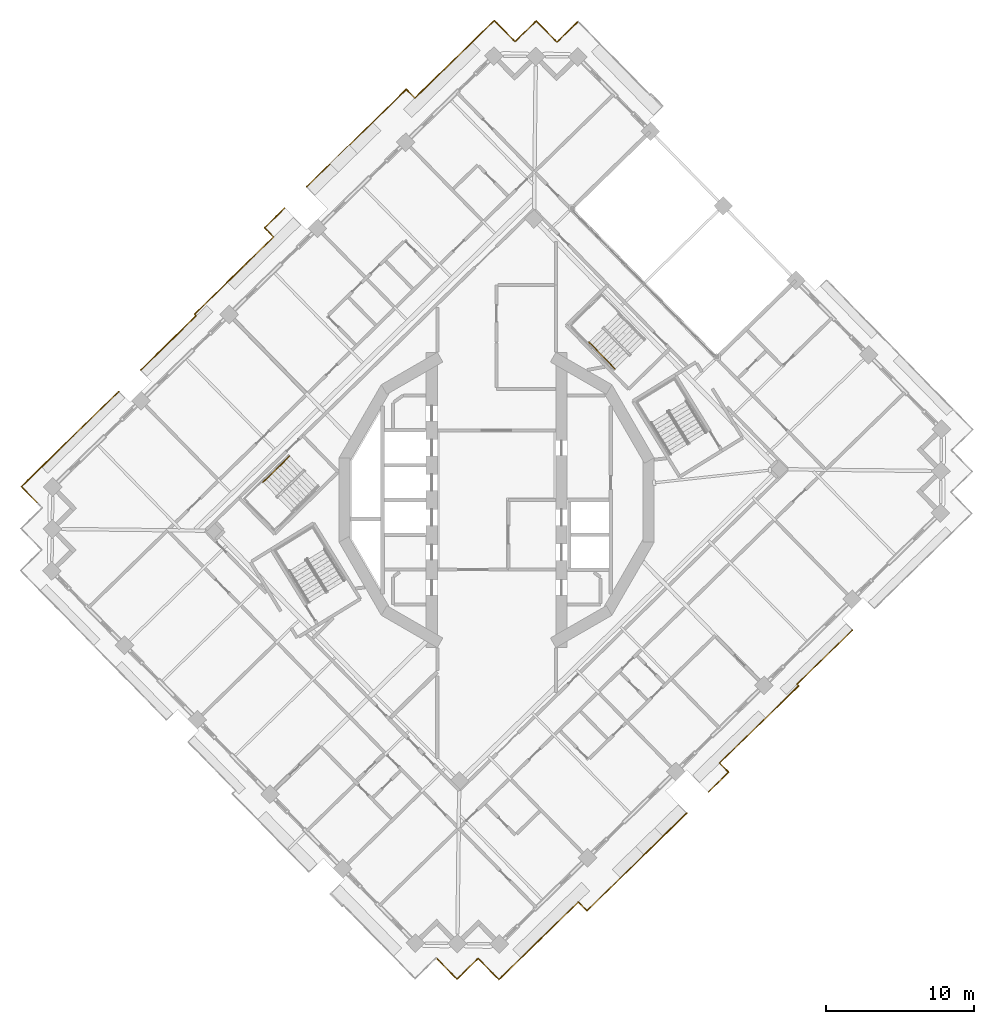
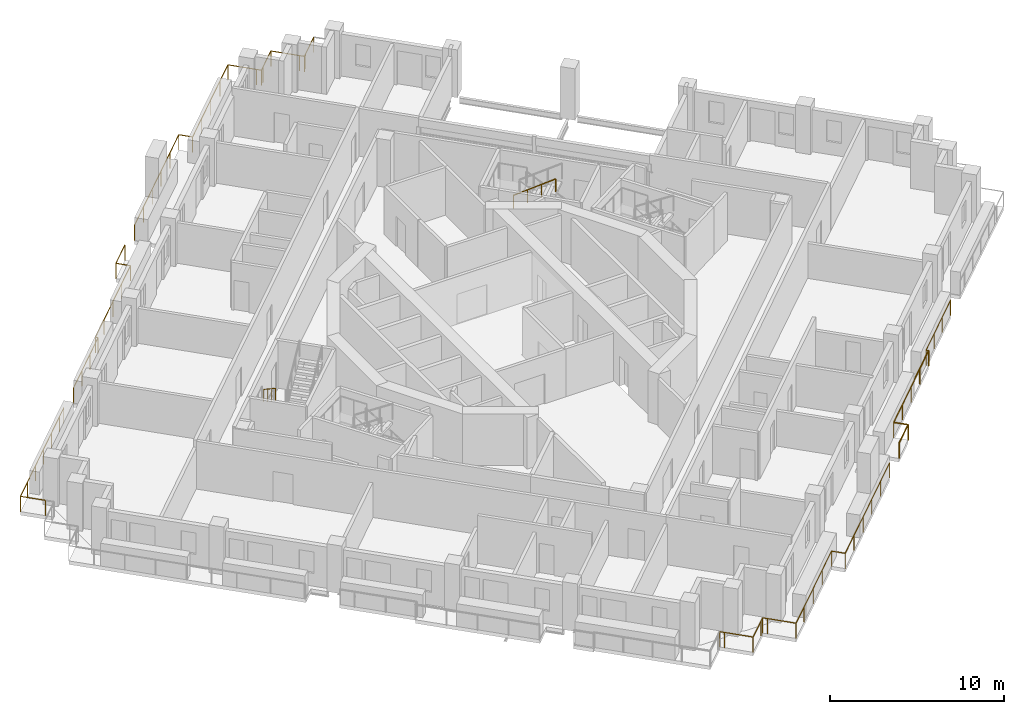
# One storey, part 17 of 20: 8 railings.
"""IFC4 building model written with IfcOpenShell, lengths in metres."""

from ifc_helpers import new_model, si_unit, direction, frame, origin, origin_2d, place, context, subcontext, project, spatial, circle, extrude, material, type_object, element, save


model = new_model("IFC4")

# Units and contexts
model_context = context("Model", 3, precision=1e-05, world=origin(), true_north=direction((0.0, 1.0)))
body_context = subcontext(model_context, "Body", "Model", "MODEL_VIEW")
ifc_project = project(units=[si_unit("LENGTHUNIT", "METRE"), si_unit("AREAUNIT", "SQUARE_METRE"), si_unit("VOLUMEUNIT", "CUBIC_METRE"), si_unit("PLANEANGLEUNIT", "RADIAN"), si_unit("MASSUNIT", "GRAM", prefix="KILO")], contexts=[model_context])

# Site, building, storey
site_placement = place(None, origin())
site = spatial("IfcSite", under=ifc_project, at=site_placement, CompositionType="ELEMENT")
building_placement = place(site_placement, origin())
building = spatial("IfcBuilding", under=site, at=building_placement, Name="Cantera Rosa Tower", CompositionType="ELEMENT")
storey_placement = place(building_placement, frame((0.0, 0.0, 209.0)))
storey = spatial("IfcBuildingStorey", under=building, at=storey_placement, Name="L44", CompositionType="ELEMENT", Elevation=209.0)

# Railings
ifc_material_1 = material(Name="Stainless steel and laminated glass", Category="steel")
railing_type_1 = type_object("IfcRailingType", Name="GUARD 1100", PredefinedType="BALUSTRADE", material=ifc_material_1)
railing_1_placement = place(storey_placement, frame((-31.0107421875, -0.16943359375, 0.0)))
element("IfcRailing", 1, at=railing_1_placement, inside=storey, type_object=railing_type_1, Name="GUARD L44-3", PredefinedType="BALUSTRADE", context=body_context, shape_type="SweptSolid", body=[
    extrude(circle(Radius=0.030029296875, at=origin_2d()), frame((0.0, 0.0, 1.070068359375), z_axis=(-0.698838323933, 0.71527966349, 0.0), x_axis=(-0.71527966349, -0.698838323933, 0.0)), (0.0, 0.0, 1.0), 1.499755859375),
    extrude(circle(Radius=0.030029296875, at=origin_2d()), frame((-1.048095703125, 1.07275390625, 1.070068359375), z_axis=(0.71519829713, 0.698921594874, 0.0), x_axis=(-0.698921594874, 0.71519829713, 0.0)), (0.0, 0.0, 1.0), 1.5),
    extrude(circle(Radius=0.030029296875, at=origin_2d()), frame((0.024658203125, 2.12109375, 1.070068359375), z_axis=(0.715292116391, 0.698825577829, 0.0), x_axis=(-0.698825577829, 0.715292116391, 0.0)), (0.0, 0.0, 1.0), 6.820068359375),
    extrude(circle(Radius=0.030029296875, at=origin_2d()), frame((4.903076171875, 6.88720703125, 1.070068359375), z_axis=(0.715337030636, 0.698779602308, 0.0), x_axis=(-0.698779602308, 0.715337030636, 0.0)), (0.0, 0.0, 1.0), 0.869873046875),
    extrude(circle(Radius=0.02490234375, at=origin_2d()), origin(), (0.0, 0.0, 1.0), 1.0400390625),
    extrude(circle(Radius=0.02490234375, at=origin_2d()), frame((-1.048095703125, 1.07275390625, 0.0)), (0.0, 0.0, 1.0), 1.0400390625),
    extrude(circle(Radius=0.02490234375, at=origin_2d()), frame((0.024658203125, 2.12109375, 0.0)), (0.0, 0.0, 1.0), 1.0400390625),
    extrude(circle(Radius=0.02490234375, at=origin_2d()), frame((1.244140625, 3.3125, 0.0)), (0.0, 0.0, 1.0), 1.0400390625),
    extrude(circle(Radius=0.02490234375, at=origin_2d()), frame((2.4638671875, 4.504150390625, 0.0)), (0.0, 0.0, 1.0), 1.0400390625),
    extrude(circle(Radius=0.02490234375, at=origin_2d()), frame((3.68359375, 5.69580078125, 0.0)), (0.0, 0.0, 1.0), 1.0400390625),
    extrude(circle(Radius=0.02490234375, at=origin_2d()), frame((4.903076171875, 6.88720703125, 0.0)), (0.0, 0.0, 1.0), 1.0400390625),
    extrude(circle(Radius=0.02490234375, at=origin_2d()), frame((5.525390625, 7.4951171875, 0.0)), (0.0, 0.0, 1.0), 1.0400390625),
])
railing_2_placement = place(storey_placement, frame((-24.011962890625, 8.765380859375, 0.0)))
element("IfcRailing", 2, at=railing_2_placement, inside=storey, type_object=railing_type_1, Name="GUARD L44-5", PredefinedType="BALUSTRADE", context=body_context, shape_type="SweptSolid", body=[
    extrude(circle(Radius=0.030029296875, at=origin_2d()), frame((0.0, 0.0, 1.070068359375), z_axis=(0.715781948377, 0.698323852075, 0.0), x_axis=(-0.698323852075, 0.715781948377, 0.0)), (0.0, 0.0, 1.0), 0.06982421875),
    extrude(circle(Radius=0.030029296875, at=origin_2d()), frame((0.050048828125, 0.048828125, 1.070068359375), z_axis=(0.715286575761, 0.69883124897, 0.0), x_axis=(-0.69883124897, 0.715286575761, 0.0)), (0.0, 0.0, 1.0), 5.1630859375),
    extrude(circle(Radius=0.030029296875, at=origin_2d()), frame((3.7431640625, 3.656982421875, 1.070068359375), z_axis=(-0.699276854888, 0.714850949652, 0.0), x_axis=(-0.714850949652, -0.699276854888, 0.0)), (0.0, 0.0, 1.0), 0.15673828125),
    extrude(circle(Radius=0.030029296875, at=origin_2d()), frame((3.633544921875, 3.76904296875, 1.070068359375), z_axis=(0.715281728135, 0.698836210707, 0.0), x_axis=(-0.698836210707, 0.715281728135, 0.0)), (0.0, 0.0, 1.0), 7.452392578125),
    extrude(circle(Radius=0.030029296875, at=origin_2d()), frame((8.964111328125, 8.97705078125, 1.070068359375), z_axis=(-0.698756270008, 0.715359822135, 0.0), x_axis=(-0.715359822135, -0.698756270008, 0.0)), (0.0, 0.0, 1.0), 0.867431640625),
    extrude(circle(Radius=0.030029296875, at=origin_2d()), frame((8.35791015625, 9.59765625, 1.070068359375), z_axis=(0.715242834957, 0.698876016932, 0.0), x_axis=(-0.698876016932, 0.715242834957, 0.0)), (0.0, 0.0, 1.0), 1.89453125),
    extrude(circle(Radius=0.02490234375, at=origin_2d()), origin(), (0.0, 0.0, 1.0), 1.0400390625),
    extrude(circle(Radius=0.02490234375, at=origin_2d()), frame((0.050048828125, 0.048828125, 0.0)), (0.0, 0.0, 1.0), 1.0400390625),
    extrude(circle(Radius=0.02490234375, at=origin_2d()), frame((1.281005859375, 1.25146484375, 0.0)), (0.0, 0.0, 1.0), 1.0400390625),
    extrude(circle(Radius=0.02490234375, at=origin_2d()), frame((2.51220703125, 2.454345703125, 0.0)), (0.0, 0.0, 1.0), 1.0400390625),
    extrude(circle(Radius=0.02490234375, at=origin_2d()), frame((3.7431640625, 3.656982421875, 0.0)), (0.0, 0.0, 1.0), 1.0400390625),
    extrude(circle(Radius=0.02490234375, at=origin_2d()), frame((3.633544921875, 3.76904296875, 0.0)), (0.0, 0.0, 1.0), 1.0400390625),
    extrude(circle(Radius=0.02490234375, at=origin_2d()), frame((4.96630859375, 5.071044921875, 0.0)), (0.0, 0.0, 1.0), 1.0400390625),
    extrude(circle(Radius=0.02490234375, at=origin_2d()), frame((6.298828125, 6.373046875, 0.0)), (0.0, 0.0, 1.0), 1.0400390625),
    extrude(circle(Radius=0.02490234375, at=origin_2d()), frame((7.63134765625, 7.675048828125, 0.0)), (0.0, 0.0, 1.0), 1.0400390625),
    extrude(circle(Radius=0.02490234375, at=origin_2d()), frame((8.964111328125, 8.97705078125, 0.0)), (0.0, 0.0, 1.0), 1.0400390625),
    extrude(circle(Radius=0.02490234375, at=origin_2d()), frame((8.35791015625, 9.59765625, 0.0)), (0.0, 0.0, 1.0), 1.0400390625),
    extrude(circle(Radius=0.02490234375, at=origin_2d()), frame((9.712890625, 10.921630859375, 0.0)), (0.0, 0.0, 1.0), 1.0400390625),
])
railing_3_placement = place(storey_placement, frame((-12.825439453125, 21.126708984375, 0.0)))
element("IfcRailing", 3, at=railing_3_placement, inside=storey, type_object=railing_type_1, Name="GUARD L44-7", PredefinedType="BALUSTRADE", context=body_context, shape_type="SweptSolid", body=[
    extrude(circle(Radius=0.030029296875, at=origin_2d()), frame((0.0, 0.0, 1.070068359375), z_axis=(0.715279704792, 0.698838281659, 0.0), x_axis=(-0.698838281659, 0.715279704792, 0.0)), (0.0, 0.0, 1.0), 9.414306640625),
    extrude(circle(Radius=0.030029296875, at=origin_2d()), frame((6.73388671875, 6.5791015625, 1.070068359375), z_axis=(0.698767714386, -0.715348643202, 0.0), x_axis=(0.715348643202, 0.698767714386, 0.0)), (0.0, 0.0, 1.0), 0.824462890625),
    extrude(circle(Radius=0.030029296875, at=origin_2d()), frame((7.31005859375, 5.9892578125, 1.070068359375), z_axis=(0.715294394715, 0.698823245814, 0.0), x_axis=(-0.698823245814, 0.715294394715, 0.0)), (0.0, 0.0, 1.0), 5.79541015625),
    extrude(circle(Radius=0.030029296875, at=origin_2d()), frame((11.45556640625, 10.039306640625, 1.070068359375), z_axis=(0.715316077832, 0.69880105094, 0.0), x_axis=(-0.69880105094, 0.715316077832, 0.0)), (0.0, 0.0, 1.0), 1.699951171875),
    extrude(circle(Radius=0.030029296875, at=origin_2d()), frame((12.671630859375, 11.227294921875, 1.070068359375), z_axis=(0.698872839675, -0.715245939495, 0.0), x_axis=(0.715245939495, 0.698872839675, 0.0)), (0.0, 0.0, 1.0), 1.699951171875),
    extrude(circle(Radius=0.030029296875, at=origin_2d()), frame((13.859619140625, 10.011474609375, 1.070068359375), z_axis=(0.698506948293, -0.715603272202, 0.0), x_axis=(0.715603272202, 0.698506948293, 0.0)), (0.0, 0.0, 1.0), 0.2998046875),
    extrude(circle(Radius=0.030029296875, at=origin_2d()), frame((14.069091796875, 9.796875, 1.070068359375), z_axis=(0.715196445894, 0.698923489218, 0.0), x_axis=(-0.698923489218, 0.715196445894, 0.0)), (0.0, 0.0, 1.0), 0.300048828125),
    extrude(circle(Radius=0.030029296875, at=origin_2d()), frame((14.28369140625, 10.006591796875, 1.070068359375), z_axis=(0.715316077832, 0.69880105094, 0.0), x_axis=(-0.69880105094, 0.715316077832, 0.0)), (0.0, 0.0, 1.0), 1.699951171875),
    extrude(circle(Radius=0.030029296875, at=origin_2d()), frame((15.499755859375, 11.194580078125, 1.070068359375), z_axis=(0.69880105094, -0.715316077832, 0.0), x_axis=(0.715316077832, 0.69880105094, 0.0)), (0.0, 0.0, 1.0), 1.699951171875),
    extrude(circle(Radius=0.030029296875, at=origin_2d()), frame((16.687744140625, 9.978515625, 1.070068359375), z_axis=(0.698923489218, -0.715196445894, 0.0), x_axis=(0.715196445894, 0.698923489218, 0.0)), (0.0, 0.0, 1.0), 0.300048828125),
    extrude(circle(Radius=0.030029296875, at=origin_2d()), frame((16.8974609375, 9.763916015625, 1.070068359375), z_axis=(0.715196445894, 0.698923489218, 0.0), x_axis=(-0.698923489218, 0.715196445894, 0.0)), (0.0, 0.0, 1.0), 0.300048828125),
    extrude(circle(Radius=0.030029296875, at=origin_2d()), frame((17.112060546875, 9.9736328125, 1.070068359375), z_axis=(0.715316077832, 0.69880105094, 0.0), x_axis=(-0.69880105094, 0.715316077832, 0.0)), (0.0, 0.0, 1.0), 1.699951171875),
    extrude(circle(Radius=0.02490234375, at=origin_2d()), origin(), (0.0, 0.0, 1.0), 1.0400390625),
    extrude(circle(Radius=0.02490234375, at=origin_2d()), frame((1.3466796875, 1.31591796875, 0.0)), (0.0, 0.0, 1.0), 1.0400390625),
    extrude(circle(Radius=0.02490234375, at=origin_2d()), frame((2.693603515625, 2.631591796875, 0.0)), (0.0, 0.0, 1.0), 1.0400390625),
    extrude(circle(Radius=0.02490234375, at=origin_2d()), frame((4.040283203125, 3.947509765625, 0.0)), (0.0, 0.0, 1.0), 1.0400390625),
    extrude(circle(Radius=0.02490234375, at=origin_2d()), frame((5.38720703125, 5.26318359375, 0.0)), (0.0, 0.0, 1.0), 1.0400390625),
    extrude(circle(Radius=0.02490234375, at=origin_2d()), frame((6.73388671875, 6.5791015625, 0.0)), (0.0, 0.0, 1.0), 1.0400390625),
    extrude(circle(Radius=0.02490234375, at=origin_2d()), frame((7.31005859375, 5.9892578125, 0.0)), (0.0, 0.0, 1.0), 1.0400390625),
    extrude(circle(Radius=0.02490234375, at=origin_2d()), frame((8.69189453125, 7.33935546875, 0.0)), (0.0, 0.0, 1.0), 1.0400390625),
    extrude(circle(Radius=0.02490234375, at=origin_2d()), frame((10.07373046875, 8.689208984375, 0.0)), (0.0, 0.0, 1.0), 1.0400390625),
    extrude(circle(Radius=0.02490234375, at=origin_2d()), frame((11.45556640625, 10.039306640625, 0.0)), (0.0, 0.0, 1.0), 1.0400390625),
    extrude(circle(Radius=0.02490234375, at=origin_2d()), frame((12.671630859375, 11.227294921875, 0.0)), (0.0, 0.0, 1.0), 1.0400390625),
    extrude(circle(Radius=0.02490234375, at=origin_2d()), frame((13.859619140625, 10.011474609375, 0.0)), (0.0, 0.0, 1.0), 1.0400390625),
    extrude(circle(Radius=0.02490234375, at=origin_2d()), frame((14.069091796875, 9.796875, 0.0)), (0.0, 0.0, 1.0), 1.0400390625),
    extrude(circle(Radius=0.02490234375, at=origin_2d()), frame((14.28369140625, 10.006591796875, 0.0)), (0.0, 0.0, 1.0), 1.0400390625),
    extrude(circle(Radius=0.02490234375, at=origin_2d()), frame((15.499755859375, 11.194580078125, 0.0)), (0.0, 0.0, 1.0), 1.0400390625),
    extrude(circle(Radius=0.02490234375, at=origin_2d()), frame((16.687744140625, 9.978515625, 0.0)), (0.0, 0.0, 1.0), 1.0400390625),
    extrude(circle(Radius=0.02490234375, at=origin_2d()), frame((16.8974609375, 9.763916015625, 0.0)), (0.0, 0.0, 1.0), 1.0400390625),
    extrude(circle(Radius=0.02490234375, at=origin_2d()), frame((17.112060546875, 9.9736328125, 0.0)), (0.0, 0.0, 1.0), 1.0400390625),
    extrude(circle(Radius=0.02490234375, at=origin_2d()), frame((18.328125, 11.16162109375, 0.0)), (0.0, 0.0, 1.0), 1.0400390625),
])
railing_4_placement = place(storey_placement, frame((12.825439453125, -21.126708984375, 0.0)))
element("IfcRailing", 4, at=railing_4_placement, inside=storey, type_object=railing_type_1, Name="GUARD L44-9", PredefinedType="BALUSTRADE", context=body_context, shape_type="SweptSolid", body=[
    extrude(circle(Radius=0.030029296875, at=origin_2d()), frame((0.0, 0.0, 1.070068359375), z_axis=(-0.715279704792, -0.698838281659, 0.0), x_axis=(0.698838281659, -0.715279704792, 0.0)), (0.0, 0.0, 1.0), 9.414306640625),
    extrude(circle(Radius=0.030029296875, at=origin_2d()), frame((-6.73388671875, -6.5791015625, 1.070068359375), z_axis=(-0.698767714386, 0.715348643202, 0.0), x_axis=(-0.715348643202, -0.698767714386, 0.0)), (0.0, 0.0, 1.0), 0.824462890625),
    extrude(circle(Radius=0.030029296875, at=origin_2d()), frame((-7.31005859375, -5.9892578125, 1.070068359375), z_axis=(-0.715294394715, -0.698823245814, 0.0), x_axis=(0.698823245814, -0.715294394715, 0.0)), (0.0, 0.0, 1.0), 5.79541015625),
    extrude(circle(Radius=0.030029296875, at=origin_2d()), frame((-11.45556640625, -10.039306640625, 1.070068359375), z_axis=(-0.715316077832, -0.69880105094, 0.0), x_axis=(0.69880105094, -0.715316077832, 0.0)), (0.0, 0.0, 1.0), 1.699951171875),
    extrude(circle(Radius=0.030029296875, at=origin_2d()), frame((-12.671630859375, -11.227294921875, 1.070068359375), z_axis=(-0.698872839675, 0.715245939495, 0.0), x_axis=(-0.715245939495, -0.698872839675, 0.0)), (0.0, 0.0, 1.0), 1.699951171875),
    extrude(circle(Radius=0.030029296875, at=origin_2d()), frame((-13.859619140625, -10.011474609375, 1.070068359375), z_axis=(-0.698506948293, 0.715603272202, 0.0), x_axis=(-0.715603272202, -0.698506948293, 0.0)), (0.0, 0.0, 1.0), 0.2998046875),
    extrude(circle(Radius=0.030029296875, at=origin_2d()), frame((-14.069091796875, -9.796875, 1.070068359375), z_axis=(-0.715196445894, -0.698923489218, 0.0), x_axis=(0.698923489218, -0.715196445894, 0.0)), (0.0, 0.0, 1.0), 0.300048828125),
    extrude(circle(Radius=0.030029296875, at=origin_2d()), frame((-14.28369140625, -10.006591796875, 1.070068359375), z_axis=(-0.715316077832, -0.69880105094, 0.0), x_axis=(0.69880105094, -0.715316077832, 0.0)), (0.0, 0.0, 1.0), 1.699951171875),
    extrude(circle(Radius=0.030029296875, at=origin_2d()), frame((-15.499755859375, -11.194580078125, 1.070068359375), z_axis=(-0.69880105094, 0.715316077832, 0.0), x_axis=(-0.715316077832, -0.69880105094, 0.0)), (0.0, 0.0, 1.0), 1.699951171875),
    extrude(circle(Radius=0.030029296875, at=origin_2d()), frame((-16.687744140625, -9.978515625, 1.070068359375), z_axis=(-0.698923489218, 0.715196445894, 0.0), x_axis=(-0.715196445894, -0.698923489218, 0.0)), (0.0, 0.0, 1.0), 0.300048828125),
    extrude(circle(Radius=0.02490234375, at=origin_2d()), origin(), (0.0, 0.0, 1.0), 1.0400390625),
    extrude(circle(Radius=0.02490234375, at=origin_2d()), frame((-1.3466796875, -1.31591796875, 0.0)), (0.0, 0.0, 1.0), 1.0400390625),
    extrude(circle(Radius=0.02490234375, at=origin_2d()), frame((-2.693603515625, -2.631591796875, 0.0)), (0.0, 0.0, 1.0), 1.0400390625),
    extrude(circle(Radius=0.02490234375, at=origin_2d()), frame((-4.040283203125, -3.947509765625, 0.0)), (0.0, 0.0, 1.0), 1.0400390625),
    extrude(circle(Radius=0.02490234375, at=origin_2d()), frame((-5.38720703125, -5.26318359375, 0.0)), (0.0, 0.0, 1.0), 1.0400390625),
    extrude(circle(Radius=0.02490234375, at=origin_2d()), frame((-6.73388671875, -6.5791015625, 0.0)), (0.0, 0.0, 1.0), 1.0400390625),
    extrude(circle(Radius=0.02490234375, at=origin_2d()), frame((-7.31005859375, -5.9892578125, 0.0)), (0.0, 0.0, 1.0), 1.0400390625),
    extrude(circle(Radius=0.02490234375, at=origin_2d()), frame((-8.69189453125, -7.33935546875, 0.0)), (0.0, 0.0, 1.0), 1.0400390625),
    extrude(circle(Radius=0.02490234375, at=origin_2d()), frame((-10.07373046875, -8.689208984375, 0.0)), (0.0, 0.0, 1.0), 1.0400390625),
    extrude(circle(Radius=0.02490234375, at=origin_2d()), frame((-11.45556640625, -10.039306640625, 0.0)), (0.0, 0.0, 1.0), 1.0400390625),
    extrude(circle(Radius=0.02490234375, at=origin_2d()), frame((-12.671630859375, -11.227294921875, 0.0)), (0.0, 0.0, 1.0), 1.0400390625),
    extrude(circle(Radius=0.02490234375, at=origin_2d()), frame((-13.859619140625, -10.011474609375, 0.0)), (0.0, 0.0, 1.0), 1.0400390625),
    extrude(circle(Radius=0.02490234375, at=origin_2d()), frame((-14.069091796875, -9.796875, 0.0)), (0.0, 0.0, 1.0), 1.0400390625),
    extrude(circle(Radius=0.02490234375, at=origin_2d()), frame((-14.28369140625, -10.006591796875, 0.0)), (0.0, 0.0, 1.0), 1.0400390625),
    extrude(circle(Radius=0.02490234375, at=origin_2d()), frame((-15.499755859375, -11.194580078125, 0.0)), (0.0, 0.0, 1.0), 1.0400390625),
    extrude(circle(Radius=0.02490234375, at=origin_2d()), frame((-16.687744140625, -9.978515625, 0.0)), (0.0, 0.0, 1.0), 1.0400390625),
    extrude(circle(Radius=0.02490234375, at=origin_2d()), frame((-16.8974609375, -9.763916015625, 0.0)), (0.0, 0.0, 1.0), 1.0400390625),
])
railing_5_placement = place(storey_placement, frame((20.37841796875, -12.534423828125, 0.0)))
element("IfcRailing", 5, at=railing_5_placement, inside=storey, type_object=railing_type_1, Name="GUARD L44-10", PredefinedType="BALUSTRADE", context=body_context, shape_type="SweptSolid", body=[
    extrude(circle(Radius=0.030029296875, at=origin_2d()), frame((0.0, 0.0, 1.070068359375), z_axis=(-0.715281728135, -0.698836210707, 0.0), x_axis=(0.698836210707, -0.715281728135, 0.0)), (0.0, 0.0, 1.0), 7.452392578125),
    extrude(circle(Radius=0.030029296875, at=origin_2d()), frame((-5.33056640625, -5.2080078125, 1.070068359375), z_axis=(0.698756270008, -0.715359822135, 0.0), x_axis=(0.715359822135, 0.698756270008, 0.0)), (0.0, 0.0, 1.0), 0.867431640625),
    extrude(circle(Radius=0.030029296875, at=origin_2d()), frame((-4.724365234375, -5.82861328125, 1.070068359375), z_axis=(-0.715242834957, -0.698876016932, 0.0), x_axis=(0.698876016932, -0.715242834957, 0.0)), (0.0, 0.0, 1.0), 1.89453125),
    extrude(circle(Radius=0.02490234375, at=origin_2d()), origin(), (0.0, 0.0, 1.0), 1.0400390625),
    extrude(circle(Radius=0.02490234375, at=origin_2d()), frame((-1.33251953125, -1.302001953125, 0.0)), (0.0, 0.0, 1.0), 1.0400390625),
    extrude(circle(Radius=0.02490234375, at=origin_2d()), frame((-2.665283203125, -2.60400390625, 0.0)), (0.0, 0.0, 1.0), 1.0400390625),
    extrude(circle(Radius=0.02490234375, at=origin_2d()), frame((-3.998046875, -3.906005859375, 0.0)), (0.0, 0.0, 1.0), 1.0400390625),
    extrude(circle(Radius=0.02490234375, at=origin_2d()), frame((-5.33056640625, -5.2080078125, 0.0)), (0.0, 0.0, 1.0), 1.0400390625),
    extrude(circle(Radius=0.02490234375, at=origin_2d()), frame((-4.724365234375, -5.82861328125, 0.0)), (0.0, 0.0, 1.0), 1.0400390625),
    extrude(circle(Radius=0.02490234375, at=origin_2d()), frame((-6.079345703125, -7.152587890625, 0.0)), (0.0, 0.0, 1.0), 1.0400390625),
])
railing_6_placement = place(storey_placement, frame((24.011962890625, -8.765380859375, 0.0)))
element("IfcRailing", 6, at=railing_6_placement, inside=storey, type_object=railing_type_1, Name="GUARD L44-11", PredefinedType="BALUSTRADE", context=body_context, shape_type="SweptSolid", body=[
    extrude(circle(Radius=0.030029296875, at=origin_2d()), frame((0.0, 0.0, 1.070068359375), z_axis=(-0.715781948377, -0.698323852075, 0.0), x_axis=(0.698323852075, -0.715781948377, 0.0)), (0.0, 0.0, 1.0), 0.06982421875),
    extrude(circle(Radius=0.030029296875, at=origin_2d()), frame((-0.050048828125, -0.048828125, 1.070068359375), z_axis=(-0.715286575761, -0.69883124897, 0.0), x_axis=(0.69883124897, -0.715286575761, 0.0)), (0.0, 0.0, 1.0), 5.1630859375),
    extrude(circle(Radius=0.030029296875, at=origin_2d()), frame((-3.7431640625, -3.656982421875, 1.070068359375), z_axis=(0.699276854888, -0.714850949652, 0.0), x_axis=(0.714850949652, 0.699276854888, 0.0)), (0.0, 0.0, 1.0), 0.15673828125),
    extrude(circle(Radius=0.02490234375, at=origin_2d()), origin(), (0.0, 0.0, 1.0), 1.0400390625),
    extrude(circle(Radius=0.02490234375, at=origin_2d()), frame((-0.050048828125, -0.048828125, 0.0)), (0.0, 0.0, 1.0), 1.0400390625),
    extrude(circle(Radius=0.02490234375, at=origin_2d()), frame((-1.281005859375, -1.25146484375, 0.0)), (0.0, 0.0, 1.0), 1.0400390625),
    extrude(circle(Radius=0.02490234375, at=origin_2d()), frame((-2.51220703125, -2.454345703125, 0.0)), (0.0, 0.0, 1.0), 1.0400390625),
    extrude(circle(Radius=0.02490234375, at=origin_2d()), frame((-3.7431640625, -3.656982421875, 0.0)), (0.0, 0.0, 1.0), 1.0400390625),
    extrude(circle(Radius=0.02490234375, at=origin_2d()), frame((-3.633544921875, -3.76904296875, 0.0)), (0.0, 0.0, 1.0), 1.0400390625),
])
ifc_material_2 = material(Name="Steel S355J2 (EN 10025-2)", Category="steel")
railing_type_2 = type_object("IfcRailingType", Name="STAIR HANDRAIL 900", PredefinedType="HANDRAIL", material=ifc_material_2)
railing_7_placement = place(storey_placement, frame((6.23388671875, 10.64013671875, 1.97998046875)))
element("IfcRailing", 7, at=railing_7_placement, inside=storey, type_object=railing_type_2, Name="L44 ST-42 stair handrail 2", PredefinedType="HANDRAIL", context=body_context, shape_type="SweptSolid", body=[
    extrude(circle(Radius=0.02392578125, at=origin_2d()), frame((0.0, 0.0, 0.8759765625), z_axis=(0.587818193466, -0.601672219931, 0.54079599776), x_axis=(0.715293958342, 0.698823692472, 0.0)), (0.0, 0.0, 1.0), 2.995849609375),
    extrude(circle(Radius=0.02099609375, at=origin_2d()), origin(), (0.0, 0.0, 1.0), 0.851806640625),
    extrude(circle(Radius=0.02099609375, at=origin_2d()), frame((0.5869140625, -0.600830078125, 0.5400390625)), (0.0, 0.0, 1.0), 0.851806640625),
    extrude(circle(Radius=0.02099609375, at=origin_2d()), frame((1.174072265625, -1.20166015625, 1.080078125)), (0.0, 0.0, 1.0), 0.851806640625),
    extrude(circle(Radius=0.02099609375, at=origin_2d()), frame((1.760986328125, -1.802490234375, 1.6201171875)), (0.0, 0.0, 1.0), 0.851806640625),
])
railing_8_placement = place(storey_placement, frame((-13.95947265625, 2.9619140625, 0.179931640625)))
element("IfcRailing", 8, at=railing_8_placement, inside=storey, type_object=railing_type_2, Name="L44 ST-43 stair handrail 1", PredefinedType="HANDRAIL", context=body_context, shape_type="SweptSolid", body=[
    extrude(circle(Radius=0.02392578125, at=origin_2d()), frame((0.0, 0.0, 0.8759765625), z_axis=(-0.601672219931, -0.587818193466, 0.54079599776), x_axis=(0.698823692472, -0.715293958342, 0.0)), (0.0, 0.0, 1.0), 2.995849609375),
    extrude(circle(Radius=0.02099609375, at=origin_2d()), origin(), (0.0, 0.0, 1.0), 0.851806640625),
    extrude(circle(Radius=0.02099609375, at=origin_2d()), frame((-0.600830078125, -0.5869140625, 0.5400390625)), (0.0, 0.0, 1.0), 0.851806640625),
    extrude(circle(Radius=0.02099609375, at=origin_2d()), frame((-1.20166015625, -1.174072265625, 1.080078125)), (0.0, 0.0, 1.0), 0.851806640625),
    extrude(circle(Radius=0.02099609375, at=origin_2d()), frame((-1.802490234375, -1.760986328125, 1.6201171875)), (0.0, 0.0, 1.0), 0.851806640625),
])

save(model, "model.ifc")
